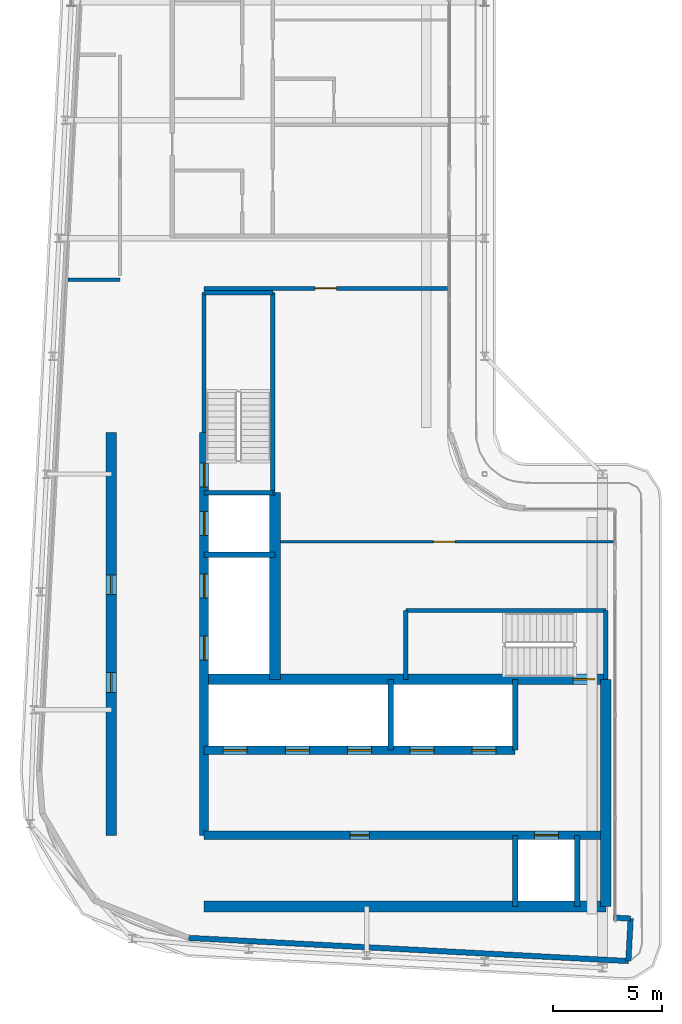
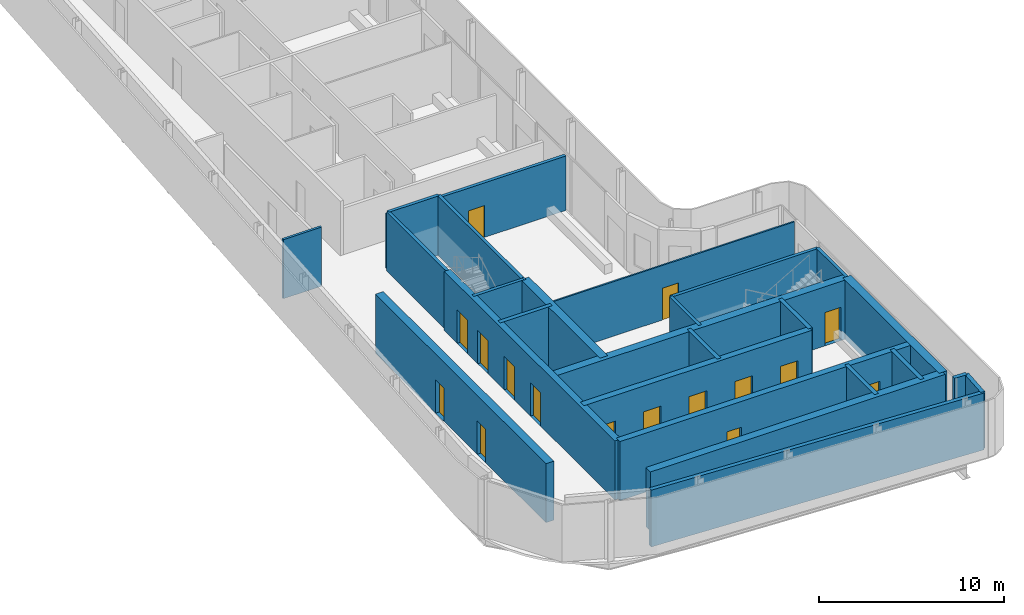
# One storey, part 9 of 17: 27 walls, 16 doors, 16 openings.
"""IFC4 building model written with IfcOpenShell, lengths in metres."""

from ifc_helpers import new_model, si_unit, direction, frame, frame_2d, origin, place, context, subcontext, project, spatial, rectangle, extrude, source, transform, mapped, material, layer, layer_set, type_object, element, fill, save


model = new_model("IFC4")

# Units and contexts
model_context = context("Model", 3, precision=1e-05, world=origin(), true_north=direction((0.0, 1.0)))
body_context = subcontext(model_context, "Body", "Model", "MODEL_VIEW")
ifc_project = project(units=[si_unit("LENGTHUNIT", "METRE"), si_unit("AREAUNIT", "SQUARE_METRE"), si_unit("VOLUMEUNIT", "CUBIC_METRE"), si_unit("PLANEANGLEUNIT", "RADIAN"), si_unit("MASSUNIT", "GRAM", prefix="KILO")], contexts=[model_context])

# Site, building, storey
site_placement = place(None, origin())
site = spatial("IfcSite", under=ifc_project, at=site_placement, CompositionType="ELEMENT")
building_placement = place(site_placement, origin())
building = spatial("IfcBuilding", under=site, at=building_placement, Name="Kheshtan School and Residences Tower", CompositionType="ELEMENT")
storey_placement = place(building_placement, frame((0.0, 0.0, 342.199951171875)))
storey = spatial("IfcBuildingStorey", under=building, at=storey_placement, Name="L80", CompositionType="ELEMENT", Elevation=342.199951171875)

# Wall, openings, doors
ifc_material_1 = material(Name="Concrete C50/60", Category="concrete")
ifc_layer_1 = layer(ifc_material_1, 0.39990234375)
ifc_layer_set_1 = layer_set([ifc_layer_1], Name="Core wall 400 Concrete C50/60")
wall_type_1 = type_object("IfcWallType", Name="Core wall 400 Concrete C50/60", PredefinedType="SHEAR", material=ifc_layer_set_1)
wall_1_placement = place(storey_placement, frame((34.75, 29.050048828125, 0.0), z_axis=(0.0, 0.0, 1.0), x_axis=(1.0, 0.0, 0.0)))
wall_1 = element("IfcWall", 1, at=wall_1_placement, inside=storey, type_object=wall_type_1, Name="Core wall CW-HALL-S1", PredefinedType="SHEAR", context=body_context, shape_type="SweptSolid", body=[
    extrude(rectangle(XDim=18.39990234375, YDim=0.39990234375, at=frame_2d((9.199951171875, 0.0))), origin(), (0.0, 0.0, 1.0), 3.900146484375),
])
opening_1_placement = place(wall_1_placement, frame((15.125, 0.0, 0.0)))
opening_1 = element("IfcOpeningElement", 2, at=opening_1_placement, cuts=wall_1, Name="Opening LD", PredefinedType="OPENING", context=body_context, shape_type="SweptSolid", body=[
    extrude(rectangle(XDim=1.10009765625, YDim=2.199951171875, at=frame_2d((0.550048828125, 1.10009765625))), frame((0.0, 0.2099609375, 0.0), z_axis=(0.0, -1.0, 0.0), x_axis=(1.0, 0.0, 0.0)), (0.0, 0.0, 1.0), 0.419921875),
])
opening_2_placement = place(wall_1_placement, frame((6.675048828125, 0.0, 0.0)))
opening_2 = element("IfcOpeningElement", 3, at=opening_2_placement, cuts=wall_1, Name="Opening SR90", PredefinedType="OPENING", context=body_context, shape_type="SweptSolid", body=[
    extrude(rectangle(XDim=0.89990234375, YDim=2.199951171875, at=frame_2d((0.449951171875, 1.10009765625))), frame((0.0, 0.2099609375, 0.0), z_axis=(0.0, -1.0, 0.0), x_axis=(1.0, 0.0, 0.0)), (0.0, 0.0, 1.0), 0.419921875),
])
ifc_material_2 = material(Name="Stainless steel door leaves", Category="steel")
door_type_1 = type_object("IfcDoorType", Name="Lift landing door 1100", OperationType="SLIDING_TO_LEFT", PredefinedType="DOOR", material=ifc_material_2)
shared_shape_1 = source(origin(), body_context, "Body", "SweptSolid", [
    extrude(rectangle(XDim=1.10009765625, YDim=2.199951171875, at=frame_2d((0.550048828125, 1.10009765625))), frame((0.0, 0.02490234375, 0.0), z_axis=(0.0, -1.0, 0.0), x_axis=(1.0, 0.0, 0.0)), (0.0, 0.0, 1.0), 0.050048828125),
])
door_1_placement = place(opening_1_placement, origin())
door_1 = element("IfcDoor", 4, at=door_1_placement, inside=storey, type_object=door_type_1, Name="Lift FFL2 landing door", OperationType="SLIDING_TO_LEFT", OverallHeight=2.199951171875, OverallWidth=1.10009765625, PredefinedType="DOOR", context=body_context, shape_type="MappedRepresentation", body=[
    mapped(shared_shape_1, transform((0.0, 0.0, 0.0), x_axis=(1.0, 0.0, 0.0), y_axis=(0.0, 1.0, 0.0), z_axis=(0.0, 0.0, 1.0), scale=1.0)),
])
fill(opening_1, door_1)
ifc_material_3 = material(Name="Steel door leaf, galvanised", Category="steel")
door_type_2 = type_object("IfcDoorType", Name="Service room door 900 steel 90 min", OperationType="SINGLE_SWING_LEFT", PredefinedType="DOOR", material=ifc_material_3)
shared_shape_2 = source(origin(), body_context, "Body", "SweptSolid", [
    extrude(rectangle(XDim=0.89990234375, YDim=2.199951171875, at=frame_2d((0.449951171875, 1.10009765625))), frame((0.0, 0.02490234375, 0.0), z_axis=(0.0, -1.0, 0.0), x_axis=(1.0, 0.0, 0.0)), (0.0, 0.0, 1.0), 0.050048828125),
])
door_2_placement = place(opening_2_placement, origin())
door_2 = element("IfcDoor", 5, at=door_2_placement, inside=storey, type_object=door_type_2, Name="Service room door", OperationType="SINGLE_SWING_RIGHT", OverallHeight=2.199951171875, OverallWidth=0.89990234375, PredefinedType="DOOR", context=body_context, shape_type="MappedRepresentation", body=[
    mapped(shared_shape_2, transform((0.0, 0.0, 0.0), x_axis=(1.0, 0.0, 0.0), y_axis=(0.0, 1.0, 0.0), z_axis=(0.0, 0.0, 1.0), scale=1.0)),
])
fill(opening_2, door_2)

wall_2_placement = place(storey_placement, frame((34.75, 32.949951171875, 0.0), z_axis=(0.0, 0.0, 1.0), x_axis=(1.0, 0.0, 0.0)))
wall_2 = element("IfcWall", 6, at=wall_2_placement, inside=storey, type_object=wall_type_1, Name="Core wall CW-HALL-S2", PredefinedType="SHEAR", context=body_context, shape_type="SweptSolid", body=[
    extrude(rectangle(XDim=14.25, YDim=0.39990234375, at=frame_2d((7.125, 0.0))), origin(), (0.0, 0.0, 1.0), 3.900146484375),
])
opening_3_placement = place(wall_2_placement, frame((0.875, 0.0, 0.0)))
opening_3 = element("IfcOpeningElement", 7, at=opening_3_placement, cuts=wall_2, Name="Opening LD", PredefinedType="OPENING", context=body_context, shape_type="SweptSolid", body=[
    extrude(rectangle(XDim=1.10009765625, YDim=2.199951171875, at=frame_2d((0.550048828125, 1.10009765625))), frame((0.0, 0.2099609375, 0.0), z_axis=(0.0, -1.0, 0.0), x_axis=(1.0, 0.0, 0.0)), (0.0, 0.0, 1.0), 0.419921875),
])
opening_4_placement = place(wall_2_placement, frame((3.72509765625, 0.0, 0.0)))
opening_4 = element("IfcOpeningElement", 8, at=opening_4_placement, cuts=wall_2, Name="Opening LD", PredefinedType="OPENING", context=body_context, shape_type="SweptSolid", body=[
    extrude(rectangle(XDim=1.10009765625, YDim=2.199951171875, at=frame_2d((0.550048828125, 1.10009765625))), frame((0.0, 0.2099609375, 0.0), z_axis=(0.0, -1.0, 0.0), x_axis=(1.0, 0.0, 0.0)), (0.0, 0.0, 1.0), 0.419921875),
])
opening_5_placement = place(wall_2_placement, frame((6.574951171875, 0.0, 0.0)))
opening_5 = element("IfcOpeningElement", 9, at=opening_5_placement, cuts=wall_2, Name="Opening LD", PredefinedType="OPENING", context=body_context, shape_type="SweptSolid", body=[
    extrude(rectangle(XDim=1.10009765625, YDim=2.199951171875, at=frame_2d((0.550048828125, 1.10009765625))), frame((0.0, 0.2099609375, 0.0), z_axis=(0.0, -1.0, 0.0), x_axis=(1.0, 0.0, 0.0)), (0.0, 0.0, 1.0), 0.419921875),
])
opening_6_placement = place(wall_2_placement, frame((9.425048828125, 0.0, 0.0)))
opening_6 = element("IfcOpeningElement", 10, at=opening_6_placement, cuts=wall_2, Name="Opening LD", PredefinedType="OPENING", context=body_context, shape_type="SweptSolid", body=[
    extrude(rectangle(XDim=1.10009765625, YDim=2.199951171875, at=frame_2d((0.550048828125, 1.10009765625))), frame((0.0, 0.2099609375, 0.0), z_axis=(0.0, -1.0, 0.0), x_axis=(1.0, 0.0, 0.0)), (0.0, 0.0, 1.0), 0.419921875),
])
opening_7_placement = place(wall_2_placement, frame((12.27490234375, 0.0, 0.0)))
opening_7 = element("IfcOpeningElement", 11, at=opening_7_placement, cuts=wall_2, Name="Opening LD", PredefinedType="OPENING", context=body_context, shape_type="SweptSolid", body=[
    extrude(rectangle(XDim=1.10009765625, YDim=2.199951171875, at=frame_2d((0.550048828125, 1.10009765625))), frame((0.0, 0.2099609375, 0.0), z_axis=(0.0, -1.0, 0.0), x_axis=(1.0, 0.0, 0.0)), (0.0, 0.0, 1.0), 0.419921875),
])
door_3_placement = place(opening_3_placement, origin())
door_3 = element("IfcDoor", 12, at=door_3_placement, inside=storey, type_object=door_type_1, Name="Lift P12 landing door", OperationType="SLIDING_TO_LEFT", OverallHeight=2.199951171875, OverallWidth=1.10009765625, PredefinedType="DOOR", context=body_context, shape_type="MappedRepresentation", body=[
    mapped(shared_shape_1, transform((0.0, 0.0, 0.0), x_axis=(1.0, 0.0, 0.0), y_axis=(0.0, 1.0, 0.0), z_axis=(0.0, 0.0, 1.0), scale=1.0)),
])
fill(opening_3, door_3)
door_4_placement = place(opening_4_placement, origin())
door_4 = element("IfcDoor", 13, at=door_4_placement, inside=storey, type_object=door_type_1, Name="Lift P13 landing door", OperationType="SLIDING_TO_LEFT", OverallHeight=2.199951171875, OverallWidth=1.10009765625, PredefinedType="DOOR", context=body_context, shape_type="MappedRepresentation", body=[
    mapped(shared_shape_1, transform((0.0, 0.0, 0.0), x_axis=(1.0, 0.0, 0.0), y_axis=(0.0, 1.0, 0.0), z_axis=(0.0, 0.0, 1.0), scale=1.0)),
])
fill(opening_4, door_4)
door_5_placement = place(opening_5_placement, origin())
door_5 = element("IfcDoor", 14, at=door_5_placement, inside=storey, type_object=door_type_1, Name="Lift P14 landing door", OperationType="SLIDING_TO_LEFT", OverallHeight=2.199951171875, OverallWidth=1.10009765625, PredefinedType="DOOR", context=body_context, shape_type="MappedRepresentation", body=[
    mapped(shared_shape_1, transform((0.0, 0.0, 0.0), x_axis=(1.0, 0.0, 0.0), y_axis=(0.0, 1.0, 0.0), z_axis=(0.0, 0.0, 1.0), scale=1.0)),
])
fill(opening_5, door_5)
door_6_placement = place(opening_6_placement, origin())
door_6 = element("IfcDoor", 15, at=door_6_placement, inside=storey, type_object=door_type_1, Name="Lift P15 landing door", OperationType="SLIDING_TO_LEFT", OverallHeight=2.199951171875, OverallWidth=1.10009765625, PredefinedType="DOOR", context=body_context, shape_type="MappedRepresentation", body=[
    mapped(shared_shape_1, transform((0.0, 0.0, 0.0), x_axis=(1.0, 0.0, 0.0), y_axis=(0.0, 1.0, 0.0), z_axis=(0.0, 0.0, 1.0), scale=1.0)),
])
fill(opening_6, door_6)
door_7_placement = place(opening_7_placement, origin())
door_7 = element("IfcDoor", 16, at=door_7_placement, inside=storey, type_object=door_type_1, Name="Lift P16 landing door", OperationType="SLIDING_TO_LEFT", OverallHeight=2.199951171875, OverallWidth=1.10009765625, PredefinedType="DOOR", context=body_context, shape_type="MappedRepresentation", body=[
    mapped(shared_shape_1, transform((0.0, 0.0, 0.0), x_axis=(1.0, 0.0, 0.0), y_axis=(0.0, 1.0, 0.0), z_axis=(0.0, 0.0, 1.0), scale=1.0)),
])
fill(opening_7, door_7)

wall_3_placement = place(storey_placement, frame((34.75, 29.050048828125, 0.0), z_axis=(0.0, 0.0, 1.0), x_axis=(0.0, 1.0, 0.0)))
wall_3 = element("IfcWall", 17, at=wall_3_placement, inside=storey, type_object=wall_type_1, Name="Core wall CW-HALL-W1", PredefinedType="SHEAR", context=body_context, shape_type="SweptSolid", body=[
    extrude(rectangle(XDim=18.449951171875, YDim=0.39990234375, at=frame_2d((9.22509765625, 0.0))), origin(), (0.0, 0.0, 1.0), 3.900146484375),
])
opening_8_placement = place(wall_3_placement, frame((8.02490234375, 0.0, 0.0)))
opening_8 = element("IfcOpeningElement", 18, at=opening_8_placement, cuts=wall_3, Name="Opening LD", PredefinedType="OPENING", context=body_context, shape_type="SweptSolid", body=[
    extrude(rectangle(XDim=1.10009765625, YDim=2.199951171875, at=frame_2d((0.550048828125, 1.10009765625))), frame((0.0, 0.2099609375, 0.0), z_axis=(0.0, -1.0, 0.0), x_axis=(1.0, 0.0, 0.0)), (0.0, 0.0, 1.0), 0.419921875),
])
opening_9_placement = place(wall_3_placement, frame((10.875, 0.0, 0.0)))
opening_9 = element("IfcOpeningElement", 19, at=opening_9_placement, cuts=wall_3, Name="Opening LD", PredefinedType="OPENING", context=body_context, shape_type="SweptSolid", body=[
    extrude(rectangle(XDim=1.10009765625, YDim=2.199951171875, at=frame_2d((0.550048828125, 1.10009765625))), frame((0.0, 0.2099609375, 0.0), z_axis=(0.0, -1.0, 0.0), x_axis=(1.0, 0.0, 0.0)), (0.0, 0.0, 1.0), 0.419921875),
])
opening_10_placement = place(wall_3_placement, frame((13.72509765625, 0.0, 0.0)))
opening_10 = element("IfcOpeningElement", 20, at=opening_10_placement, cuts=wall_3, Name="Opening LD", PredefinedType="OPENING", context=body_context, shape_type="SweptSolid", body=[
    extrude(rectangle(XDim=1.10009765625, YDim=2.199951171875, at=frame_2d((0.550048828125, 1.10009765625))), frame((0.0, 0.2099609375, 0.0), z_axis=(0.0, -1.0, 0.0), x_axis=(1.0, 0.0, 0.0)), (0.0, 0.0, 1.0), 0.419921875),
])
opening_11_placement = place(wall_3_placement, frame((15.949951171875, 0.0, 0.0)))
opening_11 = element("IfcOpeningElement", 21, at=opening_11_placement, cuts=wall_3, Name="Opening ST2D", PredefinedType="OPENING", context=body_context, shape_type="SweptSolid", body=[
    extrude(rectangle(XDim=1.10009765625, YDim=2.199951171875, at=frame_2d((0.550048828125, 1.10009765625))), frame((0.0, 0.2099609375, 0.0), z_axis=(0.0, -1.0, 0.0), x_axis=(1.0, 0.0, 0.0)), (0.0, 0.0, 1.0), 0.419921875),
])
door_8_placement = place(opening_8_placement, origin())
door_8 = element("IfcDoor", 22, at=door_8_placement, inside=storey, type_object=door_type_1, Name="Lift SV1 landing door", OperationType="SLIDING_TO_LEFT", OverallHeight=2.199951171875, OverallWidth=1.10009765625, PredefinedType="DOOR", context=body_context, shape_type="MappedRepresentation", body=[
    mapped(shared_shape_1, transform((0.0, 0.0, 0.0), x_axis=(1.0, 0.0, 0.0), y_axis=(0.0, 1.0, 0.0), z_axis=(0.0, 0.0, 1.0), scale=1.0)),
])
fill(opening_8, door_8)
door_9_placement = place(opening_9_placement, origin())
door_9 = element("IfcDoor", 23, at=door_9_placement, inside=storey, type_object=door_type_1, Name="Lift SV2 landing door", OperationType="SLIDING_TO_LEFT", OverallHeight=2.199951171875, OverallWidth=1.10009765625, PredefinedType="DOOR", context=body_context, shape_type="MappedRepresentation", body=[
    mapped(shared_shape_1, transform((0.0, 0.0, 0.0), x_axis=(1.0, 0.0, 0.0), y_axis=(0.0, 1.0, 0.0), z_axis=(0.0, 0.0, 1.0), scale=1.0)),
])
fill(opening_9, door_9)
door_10_placement = place(opening_10_placement, origin())
door_10 = element("IfcDoor", 24, at=door_10_placement, inside=storey, type_object=door_type_1, Name="Lift FFL1 landing door", OperationType="SLIDING_TO_LEFT", OverallHeight=2.199951171875, OverallWidth=1.10009765625, PredefinedType="DOOR", context=body_context, shape_type="MappedRepresentation", body=[
    mapped(shared_shape_1, transform((0.0, 0.0, 0.0), x_axis=(1.0, 0.0, 0.0), y_axis=(0.0, 1.0, 0.0), z_axis=(0.0, 0.0, 1.0), scale=1.0)),
])
fill(opening_10, door_10)
door_type_3 = type_object("IfcDoorType", Name="Stair door 1100 steel 90 min", OperationType="SINGLE_SWING_LEFT", PredefinedType="DOOR", material=ifc_material_3)
shared_shape_3 = source(origin(), body_context, "Body", "SweptSolid", [
    extrude(rectangle(XDim=1.10009765625, YDim=2.199951171875, at=frame_2d((0.550048828125, 1.10009765625))), frame((0.0, 0.02490234375, 0.0), z_axis=(0.0, -1.0, 0.0), x_axis=(1.0, 0.0, 0.0)), (0.0, 0.0, 1.0), 0.050048828125),
])
door_11_placement = place(opening_11_placement, origin())
door_11 = element("IfcDoor", 25, at=door_11_placement, inside=storey, type_object=door_type_3, Name="Stair ST2 door", OperationType="SINGLE_SWING_RIGHT", OverallHeight=2.199951171875, OverallWidth=1.10009765625, PredefinedType="DOOR", context=body_context, shape_type="MappedRepresentation", body=[
    mapped(shared_shape_3, transform((0.0, 0.0, 0.0), x_axis=(1.0, 0.0, 0.0), y_axis=(0.0, 1.0, 0.0), z_axis=(0.0, 0.0, 1.0), scale=1.0)),
])
fill(opening_11, door_11)

# Wall
ifc_layer_2 = layer(ifc_material_1, 0.5)
ifc_layer_set_2 = layer_set([ifc_layer_2], Name="Core wall 500 Concrete C50/60")
wall_type_2 = type_object("IfcWallType", Name="Core wall 500 Concrete C50/60", PredefinedType="SHEAR", material=ifc_layer_set_2)
wall_4_placement = place(storey_placement, frame((34.75, 25.800048828125, 0.0), z_axis=(0.0, 0.0, 1.0), x_axis=(1.0, 0.0, 0.0)))
element("IfcWall", 26, at=wall_4_placement, inside=storey, type_object=wall_type_2, Name="Core wall CW-REAR-S", PredefinedType="SHEAR", context=body_context, shape_type="SweptSolid", body=[
    extrude(rectangle(XDim=18.39990234375, YDim=0.5, at=frame_2d((9.199951171875, 0.0))), origin(), (0.0, 0.0, 1.0), 3.900146484375),
])

# Wall, opening, door
wall_5_placement = place(storey_placement, frame((34.75, 36.199951171875, 0.0), z_axis=(0.0, 0.0, 1.0), x_axis=(1.0, 0.0, 0.0)))
wall_5 = element("IfcWall", 27, at=wall_5_placement, inside=storey, type_object=wall_type_2, Name="Core wall CW-FRONT-S", PredefinedType="SHEAR", context=body_context, shape_type="SweptSolid", body=[
    extrude(rectangle(XDim=18.39990234375, YDim=0.5, at=frame_2d((9.199951171875, 0.0))), origin(), (0.0, 0.0, 1.0), 3.900146484375),
])
opening_12_placement = place(wall_5_placement, frame((16.89990234375, 0.0, 0.0)))
opening_12 = element("IfcOpeningElement", 28, at=opening_12_placement, cuts=wall_5, Name="Opening ST1D", PredefinedType="OPENING", context=body_context, shape_type="SweptSolid", body=[
    extrude(rectangle(XDim=1.0, YDim=2.199951171875, at=frame_2d((0.5, 1.10009765625))), frame((0.0, 0.260009765625, 0.0), z_axis=(0.0, -1.0, 0.0), x_axis=(1.0, 0.0, 0.0)), (0.0, 0.0, 1.0), 0.52001953125),
])
shared_shape_4 = source(origin(), body_context, "Body", "SweptSolid", [
    extrude(rectangle(XDim=1.0, YDim=2.199951171875, at=frame_2d((0.5, 1.10009765625))), frame((0.0, 0.02490234375, 0.0), z_axis=(0.0, -1.0, 0.0), x_axis=(1.0, 0.0, 0.0)), (0.0, 0.0, 1.0), 0.050048828125),
])
door_12_placement = place(opening_12_placement, origin())
door_12 = element("IfcDoor", 29, at=door_12_placement, inside=storey, type_object=door_type_3, Name="Stair ST1 door", OperationType="SINGLE_SWING_RIGHT", OverallHeight=2.199951171875, OverallWidth=1.0, PredefinedType="DOOR", context=body_context, shape_type="MappedRepresentation", body=[
    mapped(shared_shape_4, transform((0.0, 0.0, 0.0), x_axis=(1.0, 0.0, 0.0), y_axis=(0.0, 1.0, 0.0), z_axis=(0.0, 0.0, 1.0), scale=1.0)),
])
fill(opening_12, door_12)

# Wall
wall_6_placement = place(storey_placement, frame((38.0, 36.199951171875, 0.0), z_axis=(0.0, 0.0, 1.0), x_axis=(0.0, 1.0, 0.0)))
element("IfcWall", 30, at=wall_6_placement, inside=storey, type_object=wall_type_2, Name="Core wall CW-FRONT-W", PredefinedType="SHEAR", context=body_context, shape_type="SweptSolid", body=[
    extrude(rectangle(XDim=8.550048828125, YDim=0.5, at=frame_2d((4.27490234375, 0.0))), origin(), (0.0, 0.0, 1.0), 3.900146484375),
])

# Wall, openings, doors
wall_7_placement = place(storey_placement, frame((30.5, 29.050048828125, 0.0), z_axis=(0.0, 0.0, 1.0), x_axis=(0.0, 1.0, 0.0)))
wall_7 = element("IfcWall", 31, at=wall_7_placement, inside=storey, type_object=wall_type_2, Name="Core wall CW-REAR-W", PredefinedType="SHEAR", context=body_context, shape_type="SweptSolid", body=[
    extrude(rectangle(XDim=18.449951171875, YDim=0.5, at=frame_2d((9.22509765625, 0.0))), origin(), (0.0, 0.0, 1.0), 3.900146484375),
])
opening_13_placement = place(wall_7_placement, frame((6.550048828125, 0.0, 0.0)))
opening_13 = element("IfcOpeningElement", 32, at=opening_13_placement, cuts=wall_7, Name="Opening SR90", PredefinedType="OPENING", context=body_context, shape_type="SweptSolid", body=[
    extrude(rectangle(XDim=0.89990234375, YDim=2.199951171875, at=frame_2d((0.449951171875, 1.10009765625))), frame((0.0, 0.260009765625, 0.0), z_axis=(0.0, -1.0, 0.0), x_axis=(1.0, 0.0, 0.0)), (0.0, 0.0, 1.0), 0.52001953125),
])
opening_14_placement = place(wall_7_placement, frame((11.02490234375, 0.0, 0.0)))
opening_14 = element("IfcOpeningElement", 33, at=opening_14_placement, cuts=wall_7, Name="Opening SR90", PredefinedType="OPENING", context=body_context, shape_type="SweptSolid", body=[
    extrude(rectangle(XDim=0.89990234375, YDim=2.199951171875, at=frame_2d((0.449951171875, 1.10009765625))), frame((0.0, 0.260009765625, 0.0), z_axis=(0.0, -1.0, 0.0), x_axis=(1.0, 0.0, 0.0)), (0.0, 0.0, 1.0), 0.52001953125),
])
door_13_placement = place(opening_13_placement, origin())
door_13 = element("IfcDoor", 34, at=door_13_placement, inside=storey, type_object=door_type_2, Name="Service room door", OperationType="SINGLE_SWING_RIGHT", OverallHeight=2.199951171875, OverallWidth=0.89990234375, PredefinedType="DOOR", context=body_context, shape_type="MappedRepresentation", body=[
    mapped(shared_shape_2, transform((0.0, 0.0, 0.0), x_axis=(1.0, 0.0, 0.0), y_axis=(0.0, 1.0, 0.0), z_axis=(0.0, 0.0, 1.0), scale=1.0)),
])
fill(opening_13, door_13)
door_14_placement = place(opening_14_placement, origin())
door_14 = element("IfcDoor", 35, at=door_14_placement, inside=storey, type_object=door_type_2, Name="Service room door", OperationType="SINGLE_SWING_RIGHT", OverallHeight=2.199951171875, OverallWidth=0.89990234375, PredefinedType="DOOR", context=body_context, shape_type="MappedRepresentation", body=[
    mapped(shared_shape_2, transform((0.0, 0.0, 0.0), x_axis=(1.0, 0.0, 0.0), y_axis=(0.0, 1.0, 0.0), z_axis=(0.0, 0.0, 1.0), scale=1.0)),
])
fill(opening_14, door_14)

# Wall
wall_8_placement = place(storey_placement, frame((53.14990234375, 25.800048828125, 0.0), z_axis=(0.0, 0.0, 1.0), x_axis=(0.0, 1.0, 0.0)))
element("IfcWall", 36, at=wall_8_placement, inside=storey, type_object=wall_type_2, Name="Core wall CW-EAST", PredefinedType="SHEAR", context=body_context, shape_type="SweptSolid", body=[
    extrude(rectangle(XDim=10.39990234375, YDim=0.5, at=frame_2d((5.199951171875, 0.0))), origin(), (0.0, 0.0, 1.0), 3.900146484375),
])

# Wall, opening, door
ifc_material_4 = material(Name="Gypsum board on steel studs with fire boards", Category="steel")
ifc_layer_3 = layer(ifc_material_4, 0.199951171875)
ifc_layer_set_3 = layer_set([ifc_layer_3], Name="Corridor wall 200")
wall_type_3 = type_object("IfcWallType", Name="Corridor wall 200", PredefinedType="PARTITIONING", material=ifc_layer_set_3)
wall_9_placement = place(storey_placement, frame((34.75, 54.10009765625, 0.0), z_axis=(0.0, 0.0, 1.0), x_axis=(1.0, 0.0, 0.0)))
wall_9 = element("IfcWall", 37, at=wall_9_placement, inside=storey, type_object=wall_type_3, Name="Partition L80-011", PredefinedType="PARTITIONING", context=body_context, shape_type="SweptSolid", body=[
    extrude(rectangle(XDim=11.14990234375, YDim=0.199951171875, at=frame_2d((5.574951171875, 0.0))), origin(), (0.0, 0.0, 1.0), 3.60009765625),
])
opening_15_placement = place(wall_9_placement, frame((5.074951171875, 0.0, 0.0)))
opening_15 = element("IfcOpeningElement", 38, at=opening_15_placement, cuts=wall_9, Name="Opening D79-019", PredefinedType="OPENING", context=body_context, shape_type="SweptSolid", body=[
    extrude(rectangle(XDim=1.0, YDim=2.10009765625, at=frame_2d((0.5, 1.050048828125))), frame((0.0, 0.10986328125, 0.0), z_axis=(0.0, -1.0, 0.0), x_axis=(1.0, 0.0, 0.0)), (0.0, 0.0, 1.0), 0.219970703125),
])
ifc_material_5 = material(Name="Steel-framed fire-resisting door leaf", Category="steel")
door_type_4 = type_object("IfcDoorType", Name="Fire door FD60 1000 x 2100", OperationType="SINGLE_SWING_LEFT", PredefinedType="DOOR", material=ifc_material_5)
shared_shape_5 = source(origin(), body_context, "Body", "SweptSolid", [
    extrude(rectangle(XDim=1.0, YDim=2.10009765625, at=frame_2d((0.5, 1.050048828125))), frame((0.0, 0.02490234375, 0.0), z_axis=(0.0, -1.0, 0.0), x_axis=(1.0, 0.0, 0.0)), (0.0, 0.0, 1.0), 0.050048828125),
])
door_15_placement = place(opening_15_placement, origin())
door_15 = element("IfcDoor", 39, at=door_15_placement, inside=storey, type_object=door_type_4, Name="Door D79-019", OperationType="SINGLE_SWING_RIGHT", OverallHeight=2.10009765625, OverallWidth=1.0, PredefinedType="DOOR", context=body_context, shape_type="MappedRepresentation", body=[
    mapped(shared_shape_5, transform((0.0, 0.0, 0.0), x_axis=(1.0, 0.0, 0.0), y_axis=(0.0, 1.0, 0.0), z_axis=(0.0, 0.0, 1.0), scale=1.0)),
])
fill(opening_15, door_15)

# Walls
ifc_material_6 = material(Name="Concrete C40/50 with ceramic cladding and mineral wool insulation", Category="concrete")
ifc_layer_4 = layer(ifc_material_6, 0.25)
ifc_layer_set_4 = layer_set([ifc_layer_4], Name="External wall 250 ceramic clad")
wall_type_4 = type_object("IfcWallType", Name="External wall 250 ceramic clad", PredefinedType="SOLIDWALL", material=ifc_layer_set_4)
wall_10_placement = place(storey_placement, frame((53.507080078125, 25.281005859375, 0.0), z_axis=(0.0, 0.0, 1.0), x_axis=(0.998561284263, -0.053622398031, 0.0)))
element("IfcWall", 40, at=wall_10_placement, inside=storey, type_object=wall_type_4, Name="External wall L80 10", PredefinedType="SOLIDWALL", context=body_context, shape_type="SweptSolid", body=[
    extrude(rectangle(XDim=0.783203125, YDim=0.25, at=frame_2d((0.3916015625, 0.0))), origin(), (0.0, 0.0, 1.0), 3.75),
])
wall_11_placement = place(storey_placement, frame((54.2890625, 25.239013671875, 0.0), z_axis=(0.0, 0.0, 1.0), x_axis=(-0.052841433274, -0.998602915542, 0.0)))
element("IfcWall", 41, at=wall_11_placement, inside=storey, type_object=wall_type_4, Name="External wall L80 11", PredefinedType="SOLIDWALL", context=body_context, shape_type="SweptSolid", body=[
    extrude(rectangle(XDim=1.94970703125, YDim=0.25, at=frame_2d((0.974853515625, 0.0))), origin(), (0.0, 0.0, 1.0), 3.75),
])
wall_12_placement = place(storey_placement, frame((54.18603515625, 23.2919921875, 0.0), z_axis=(0.0, 0.0, 1.0), x_axis=(-0.998616090491, 0.052591860707, 0.0)))
element("IfcWall", 42, at=wall_12_placement, inside=storey, type_object=wall_type_4, Name="External wall L80 12", PredefinedType="SOLIDWALL", context=body_context, shape_type="SweptSolid", body=[
    extrude(rectangle(XDim=20.1748046875, YDim=0.25, at=frame_2d((10.08740234375, 0.0))), origin(), (0.0, 0.0, 1.0), 3.75),
])

# Wall, opening, door
ifc_material_7 = material(Name="Gypsum board on steel studs", Category="steel")
ifc_layer_5 = layer(ifc_material_7, 0.10009765625)
ifc_layer_set_5 = layer_set([ifc_layer_5], Name="Gypsum partition 100")
wall_type_5 = type_object("IfcWallType", Name="Gypsum partition 100", PredefinedType="PARTITIONING", material=ifc_layer_set_5)
wall_13_placement = place(storey_placement, frame((38.2490234375, 42.5, 0.0), z_axis=(0.0, 0.0, 1.0), x_axis=(1.0, 0.0, 0.0)))
wall_13 = element("IfcWall", 43, at=wall_13_placement, inside=storey, type_object=wall_type_5, Name="Partition L80-024", PredefinedType="PARTITIONING", context=body_context, shape_type="SweptSolid", body=[
    extrude(rectangle(XDim=15.2509765625, YDim=0.10009765625, at=frame_2d((7.62548828125, 0.0))), origin(), (0.0, 0.0, 1.0), 3.60009765625),
])
opening_16_placement = place(wall_13_placement, frame((7.0009765625, 0.0, 0.0)))
opening_16 = element("IfcOpeningElement", 44, at=opening_16_placement, cuts=wall_13, Name="Opening D79-018", PredefinedType="OPENING", context=body_context, shape_type="SweptSolid", body=[
    extrude(rectangle(XDim=1.0, YDim=2.10009765625, at=frame_2d((0.5, 1.050048828125))), frame((0.0, 0.06005859375, 0.0), z_axis=(0.0, -1.0, 0.0), x_axis=(1.0, 0.0, 0.0)), (0.0, 0.0, 1.0), 0.1201171875),
])
ifc_material_8 = material(Name="Veneered timber door leaf", Category="wood")
door_type_5 = type_object("IfcDoorType", Name="Door 1000 x 2100", OperationType="SINGLE_SWING_LEFT", PredefinedType="DOOR", material=ifc_material_8)
shared_shape_6 = source(origin(), body_context, "Body", "SweptSolid", [
    extrude(rectangle(XDim=1.0, YDim=2.10009765625, at=frame_2d((0.5, 1.050048828125))), frame((0.0, 0.02490234375, 0.0), z_axis=(0.0, -1.0, 0.0), x_axis=(1.0, 0.0, 0.0)), (0.0, 0.0, 1.0), 0.050048828125),
])
door_16_placement = place(opening_16_placement, origin())
door_16 = element("IfcDoor", 45, at=door_16_placement, inside=storey, type_object=door_type_5, Name="Door D79-018", OperationType="SINGLE_SWING_LEFT", OverallHeight=2.10009765625, OverallWidth=1.0, PredefinedType="DOOR", context=body_context, shape_type="MappedRepresentation", body=[
    mapped(shared_shape_6, transform((0.0, 0.0, 0.0), x_axis=(1.0, 0.0, 0.0), y_axis=(0.0, 1.0, 0.0), z_axis=(0.0, 0.0, 1.0), scale=1.0)),
])
fill(opening_16, door_16)

# Walls
ifc_material_9 = material(Name="Fire-board shaft wall system")
ifc_layer_6 = layer(ifc_material_9, 0.14990234375)
ifc_layer_set_6 = layer_set([ifc_layer_6], Name="Service room wall 150")
wall_type_6 = type_object("IfcWallType", Name="Service room wall 150", PredefinedType="PARTITIONING", material=ifc_layer_set_6)
wall_14_placement = place(storey_placement, frame((28.509033203125, 54.5, 0.0), z_axis=(0.0, 0.0, 1.0), x_axis=(1.0, 0.0, 0.0)))
element("IfcWall", 46, at=wall_14_placement, inside=storey, type_object=wall_type_6, Name="Service room wall", PredefinedType="PARTITIONING", context=body_context, shape_type="SweptSolid", body=[
    extrude(rectangle(XDim=2.390869140625, YDim=0.14990234375, at=frame_2d((1.1953125, 0.0))), origin(), (0.0, 0.0, 1.0), 3.900146484375),
])
ifc_layer_7 = layer(ifc_material_9, 0.25)
ifc_layer_set_7 = layer_set([ifc_layer_7], Name="Shaft lining wall 250")
wall_type_7 = type_object("IfcWallType", Name="Shaft lining wall 250", PredefinedType="PARTITIONING", material=ifc_layer_set_7)
for number, where, z_axis, x_axis, name in (
    (47, (43.300048828125, 32.949951171875, 0.0), (0.0, 0.0, 1.0), (0.0, 1.0, 0.0), "Shaft lining wall"),
    (48, (49.0, 25.800048828125, 0.0), (0.0, 0.0, 1.0), (0.0, 1.0, 0.0), "Shaft lining wall"),
    (49, (49.0, 32.949951171875, 0.0), (0.0, 0.0, 1.0), (0.0, 1.0, 0.0), "Shaft lining wall"),
    (50, (51.85009765625, 25.800048828125, 0.0), (0.0, 0.0, 1.0), (0.0, 1.0, 0.0), "Shaft lining wall"),
    (51, (34.75, 41.89990234375, 0.0), (0.0, 0.0, 1.0), (1.0, 0.0, 0.0), "Shaft lining wall"),
):
    element("IfcWall", number, at=place(storey_placement, frame(where, z_axis=z_axis, x_axis=x_axis)), inside=storey, type_object=wall_type_7, Name=name, PredefinedType="PARTITIONING", context=body_context, shape_type="SweptSolid", body=[
        extrude(rectangle(XDim=3.25, YDim=0.25, at=frame_2d((1.625, 0.0))), origin(), (0.0, 0.0, 1.0), 3.900146484375),
    ])
wall_15_placement = place(storey_placement, frame((37.89990234375, 44.75, 0.0), z_axis=(0.0, 0.0, 1.0), x_axis=(1.0, 0.0, 0.0)))
element("IfcWall", 52, at=wall_15_placement, inside=storey, type_object=wall_type_7, Name="Shaft lining wall", PredefinedType="PARTITIONING", context=body_context, shape_type="SweptSolid", body=[
    extrude(rectangle(XDim=0.10009765625, YDim=0.25, at=frame_2d((0.050048828125, 0.0))), origin(), (0.0, 0.0, 1.0), 3.900146484375),
])
ifc_material_10 = material(Name="Concrete C40/50", Category="concrete")
ifc_layer_8 = layer(ifc_material_10, 0.199951171875)
ifc_layer_set_8 = layer_set([ifc_layer_8], Name="Stair enclosure wall 200 Concrete C40/50")
wall_type_8 = type_object("IfcWallType", Name="Stair enclosure wall 200 Concrete C40/50", PredefinedType="SHEAR", material=ifc_layer_set_8)
wall_16_placement = place(storey_placement, frame((43.989990234375, 39.35009765625, 0.0), z_axis=(0.0, 0.0, 1.0), x_axis=(1.0, 0.0, 0.0)))
element("IfcWall", 53, at=wall_16_placement, inside=storey, type_object=wall_type_8, Name="Stair enclosure wall ST1", PredefinedType="SHEAR", context=body_context, shape_type="SweptSolid", body=[
    extrude(rectangle(XDim=9.159912109375, YDim=0.199951171875, at=frame_2d((4.580078125, 0.0))), origin(), (0.0, 0.0, 1.0), 3.900146484375),
])
for number, where, z_axis, x_axis, name in (
    (54, (43.989990234375, 36.199951171875, 0.0), (0.0, 0.0, 1.0), (0.0, 1.0, 0.0), "Stair enclosure wall ST1"),
    (55, (53.14990234375, 36.199951171875, 0.0), (0.0, 0.0, 1.0), (0.0, 1.0, 0.0), "Stair enclosure wall ST1"),
):
    element("IfcWall", number, at=place(storey_placement, frame(where, z_axis=z_axis, x_axis=x_axis)), inside=storey, type_object=wall_type_8, Name=name, PredefinedType="SHEAR", context=body_context, shape_type="SweptSolid", body=[
        extrude(rectangle(XDim=3.150146484375, YDim=0.199951171875, at=frame_2d((1.5751953125, 0.0))), origin(), (0.0, 0.0, 1.0), 3.900146484375),
    ])
for number, where, z_axis, x_axis, name in (
    (56, (34.75, 44.75, 0.0), (0.0, 0.0, 1.0), (1.0, 0.0, 0.0), "Stair enclosure wall ST2"),
    (57, (34.75, 53.909912109375, 0.0), (0.0, 0.0, 1.0), (1.0, 0.0, 0.0), "Stair enclosure wall ST2"),
):
    element("IfcWall", number, at=place(storey_placement, frame(where, z_axis=z_axis, x_axis=x_axis)), inside=storey, type_object=wall_type_8, Name=name, PredefinedType="SHEAR", context=body_context, shape_type="SweptSolid", body=[
        extrude(rectangle(XDim=3.14990234375, YDim=0.199951171875, at=frame_2d((1.574951171875, 0.0))), origin(), (0.0, 0.0, 1.0), 3.900146484375),
    ])
wall_17_placement = place(storey_placement, frame((34.75, 47.5, 0.0), z_axis=(0.0, 0.0, 1.0), x_axis=(0.0, 1.0, 0.0)))
element("IfcWall", 58, at=wall_17_placement, inside=storey, type_object=wall_type_8, Name="Stair enclosure wall ST2", PredefinedType="SHEAR", context=body_context, shape_type="SweptSolid", body=[
    extrude(rectangle(XDim=6.409912109375, YDim=0.199951171875, at=frame_2d((3.205078125, 0.0))), origin(), (0.0, 0.0, 1.0), 3.900146484375),
])
wall_18_placement = place(storey_placement, frame((37.89990234375, 44.75, 0.0), z_axis=(0.0, 0.0, 1.0), x_axis=(0.0, 1.0, 0.0)))
element("IfcWall", 59, at=wall_18_placement, inside=storey, type_object=wall_type_8, Name="Stair enclosure wall ST2", PredefinedType="SHEAR", context=body_context, shape_type="SweptSolid", body=[
    extrude(rectangle(XDim=9.159912109375, YDim=0.199951171875, at=frame_2d((4.580078125, 0.0))), origin(), (0.0, 0.0, 1.0), 3.900146484375),
])

save(model, "model.ifc")
